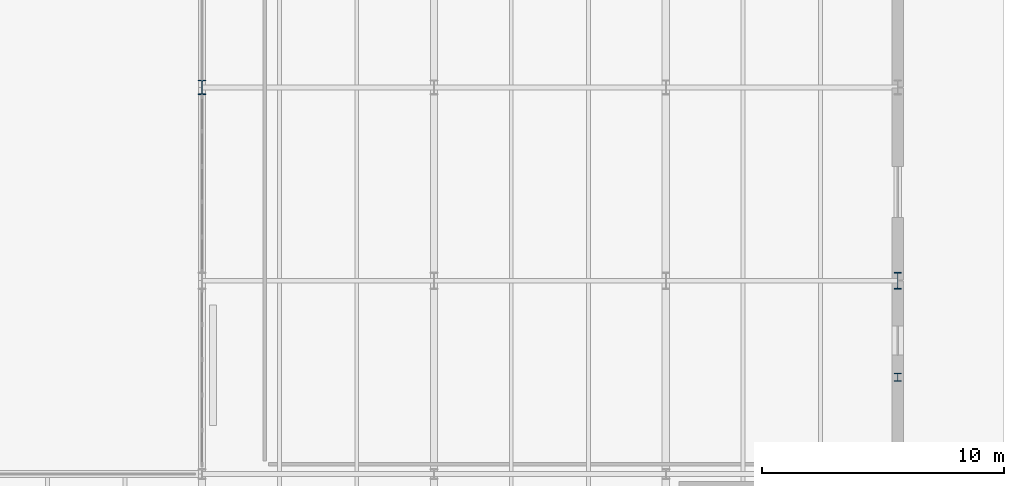
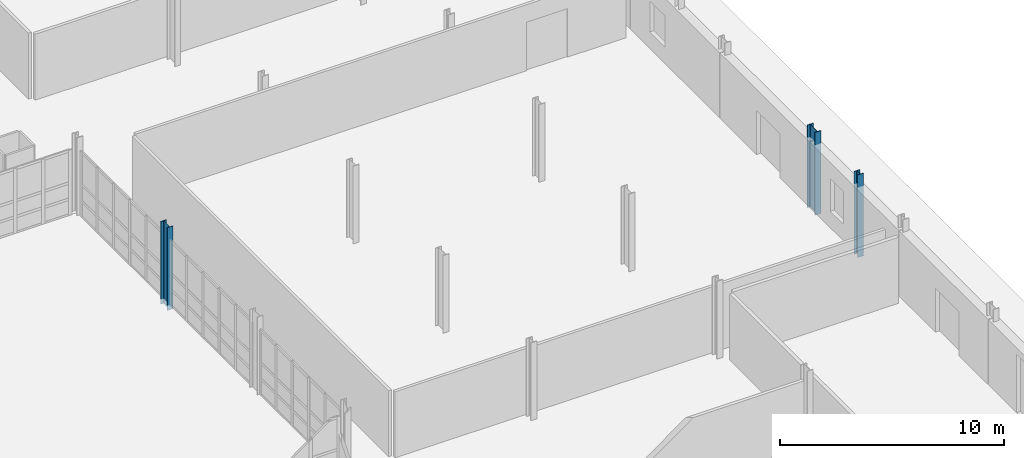
# One storey, part 25 of 78: 3 columns.
"""IFC4 building model written with IfcOpenShell, lengths in metres."""

from ifc_helpers import new_model, si_unit, direction, frame, origin, origin_2d, place, context, subcontext, project, spatial, i_section, extrude, material, material_profile, profile_set, type_object, element, save


model = new_model("IFC4")

# Units and contexts
model_context = context("Model", 3, precision=1e-05, world=origin(), true_north=direction((0.0, 1.0)))
body_context = subcontext(model_context, "Body", "Model", "MODEL_VIEW")
ifc_project = project(units=[si_unit("LENGTHUNIT", "METRE"), si_unit("AREAUNIT", "SQUARE_METRE"), si_unit("VOLUMEUNIT", "CUBIC_METRE"), si_unit("PLANEANGLEUNIT", "RADIAN"), si_unit("MASSUNIT", "GRAM", prefix="KILO")], contexts=[model_context])

# Site, building, storey
site_placement = place(None, origin())
site = spatial("IfcSite", under=ifc_project, at=site_placement, CompositionType="ELEMENT")
building_placement = place(site_placement, origin())
building = spatial("IfcBuilding", under=site, at=building_placement, Name="Alderhovde Museum", CompositionType="ELEMENT")
storey_placement = place(building_placement, origin())
storey = spatial("IfcBuildingStorey", under=building, at=storey_placement, Name="L00", CompositionType="ELEMENT", Elevation=0.0)

# Columns
ifc_material_1 = material(Name="Steel S355J2", Category="steel")
ifc_material_profile_1 = material_profile(ifc_material_1, i_section(OverallWidth=0.300048828125, OverallDepth=0.60009765625, WebThickness=0.015380859375, FlangeThickness=0.030029296875, FilletRadius=0.027099609375, at=origin_2d()), Name="HEB 600")
ifc_profile_set_1 = profile_set([ifc_material_profile_1], Name="Steel S355J2")
column_type_1 = type_object("IfcColumnType", Name="COL-HEB600", PredefinedType="COLUMN", material=ifc_profile_set_1)
column_1_placement = place(storey_placement, frame((144.0, 64.0, -0.280029296875), z_axis=(0.0, 0.0, 1.0), x_axis=(1.0, 0.0, 0.0)))
element("IfcColumn", 1, at=column_1_placement, inside=storey, type_object=column_type_1, Name="L00 Column (144.0, 64.0)", PredefinedType="COLUMN", context=body_context, shape_type="SweptSolid", body=[
    extrude(i_section(OverallWidth=0.300048828125, OverallDepth=0.60009765625, WebThickness=0.015380859375, FlangeThickness=0.030029296875, FilletRadius=0.027099609375, at=origin_2d()), origin(), (0.0, 0.0, 1.0), 4.52001953125),
])
ifc_material_2 = material(Name="Steel S355J2", Category="steel")
ifc_material_profile_2 = material_profile(ifc_material_2, i_section(OverallWidth=0.300048828125, OverallDepth=0.699951171875, WebThickness=0.01708984375, FlangeThickness=0.031982421875, FilletRadius=0.027099609375, at=origin_2d()), Name="HEB 700")
ifc_profile_set_2 = profile_set([ifc_material_profile_2], Name="Steel S355J2")
column_type_2 = type_object("IfcColumnType", Name="COL-HEB700", PredefinedType="COLUMN", material=ifc_profile_set_2)
column_2_placement = place(storey_placement, frame((172.800048828125, 56.0, -0.280029296875), z_axis=(0.0, 0.0, 1.0), x_axis=(1.0, 0.0, 0.0)))
element("IfcColumn", 2, at=column_2_placement, inside=storey, type_object=column_type_2, Name="L00 Column (172.8, 56.0)", PredefinedType="COLUMN", context=body_context, shape_type="SweptSolid", body=[
    extrude(i_section(OverallWidth=0.300048828125, OverallDepth=0.699951171875, WebThickness=0.01708984375, FlangeThickness=0.031982421875, FilletRadius=0.027099609375, at=origin_2d()), origin(), (0.0, 0.0, 1.0), 4.52001953125),
])
ifc_material_3 = material(Name="Steel S355J2", Category="steel")
ifc_material_profile_3 = material_profile(ifc_material_3, i_section(OverallWidth=0.300048828125, OverallDepth=0.330078125, WebThickness=0.009521484375, FlangeThickness=0.0166015625, FilletRadius=0.027099609375, at=origin_2d()), Name="HEA 340")
ifc_profile_set_3 = profile_set([ifc_material_profile_3], Name="Steel S355J2")
column_type_3 = type_object("IfcColumnType", Name="PIL-HEA340", PredefinedType="PILASTER", material=ifc_profile_set_3)
column_3_placement = place(storey_placement, frame((172.800048828125, 52.0, -0.280029296875), z_axis=(0.0, 0.0, 1.0), x_axis=(1.0, 0.0, 0.0)))
element("IfcColumn", 3, at=column_3_placement, inside=storey, type_object=column_type_3, Name="L00 Structural Pilaster (172.8, 52.0)", PredefinedType="PILASTER", context=body_context, shape_type="SweptSolid", body=[
    extrude(i_section(OverallWidth=0.300048828125, OverallDepth=0.330078125, WebThickness=0.009521484375, FlangeThickness=0.0166015625, FilletRadius=0.027099609375, at=origin_2d()), origin(), (0.0, 0.0, 1.0), 4.52001953125),
])

save(model, "model.ifc")
